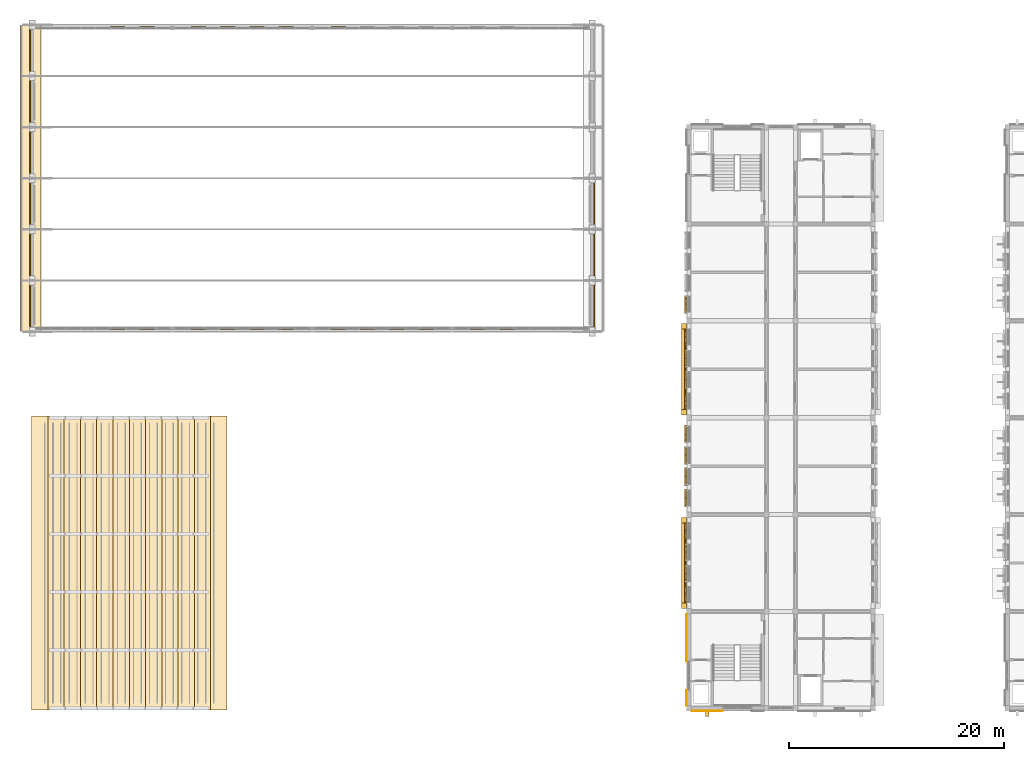
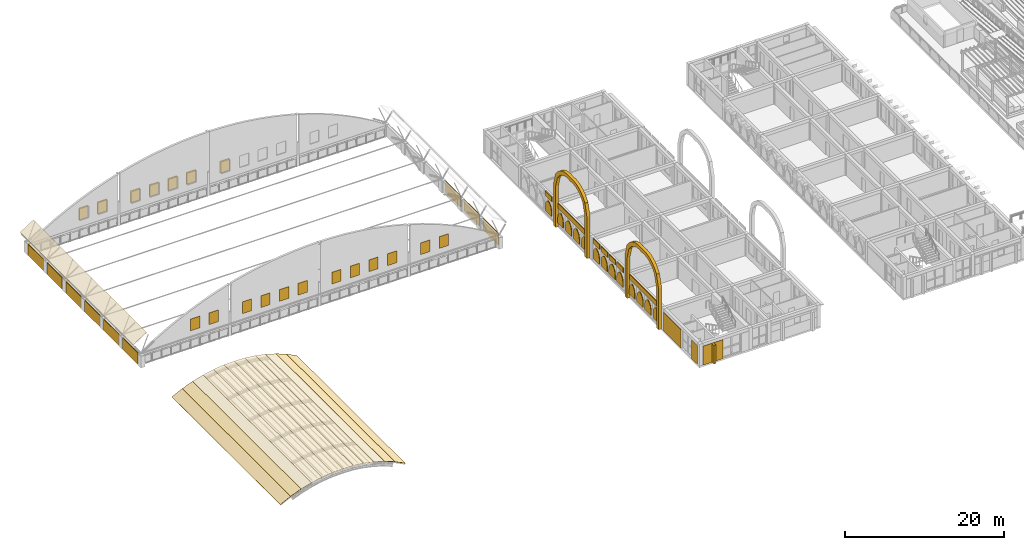
# One storey, part 55 of 65: 35 coverings, 32 shading devices.
"""IFC4 building model written with IfcOpenShell, lengths in metres."""

from ifc_helpers import new_model, si_unit, direction, frame, origin, origin_2d, place, context, subcontext, project, spatial, polyline, rectangle, outline, extrude, material, layer, layer_set, type_object, element, save


model = new_model("IFC4")

# Units and contexts
model_context = context("Model", 3, precision=1e-05, world=origin(), true_north=direction((0.0, 1.0)))
body_context = subcontext(model_context, "Body", "Model", "MODEL_VIEW")
ifc_project = project(units=[si_unit("LENGTHUNIT", "METRE"), si_unit("AREAUNIT", "SQUARE_METRE"), si_unit("VOLUMEUNIT", "CUBIC_METRE"), si_unit("PLANEANGLEUNIT", "RADIAN"), si_unit("MASSUNIT", "GRAM", prefix="KILO")], contexts=[model_context])

# Site, building, storey
site_placement = place(None, origin())
site = spatial("IfcSite", under=ifc_project, at=site_placement, CompositionType="ELEMENT")
building_placement = place(site_placement, origin())
building = spatial("IfcBuilding", under=site, at=building_placement, Name="Elbe Cascade School", CompositionType="ELEMENT")
storey_placement = place(building_placement, frame((0.0, 0.0, 11.699951171875)))
storey = spatial("IfcBuildingStorey", under=building, at=storey_placement, Name="L03", CompositionType="ELEMENT", Elevation=11.699951171875)

# Coverings
ifc_material_1 = material(Name="Zinc standing seam roofing")
ifc_layer_1 = layer(ifc_material_1, 0.030029296875)
ifc_layer_set_1 = layer_set([ifc_layer_1], Name="Zinc standing seam roofing")
covering_type_1 = type_object("IfcCoveringType", Name="Assembly hall roofing 30", PredefinedType="ROOFING", material=ifc_layer_set_1)
covering_1_placement = place(storey_placement, frame((7.9169921875, 5.85009765625, -0.011962890625), z_axis=(-0.443683773164, 0.0, 0.89618341283), x_axis=(0.89618341283, 0.0, 0.443683773164)))
element("IfcCovering", 1, at=covering_1_placement, inside=storey, type_object=covering_type_1, Name="Assembly hall roofing 30 CV2", PredefinedType="ROOFING", context=body_context, shape_type="SweptSolid", body=[
    extrude(outline(polyline([(0.0, 0.0), (1.6892926090258773, 0.0), (1.6892926090258773, 27.2998046875), (0.0, 27.2998046875), (0.0, 0.0)])), origin(), (0.0, 0.0, -1.0), 0.030029296875),
])
covering_2_placement = place(storey_placement, frame((9.430908203125, 5.85009765625, 0.737548828125), z_axis=(-0.363163989255, 0.0, 0.93172523681), x_axis=(0.93172523681, 0.0, 0.363163989255)))
element("IfcCovering", 2, at=covering_2_placement, inside=storey, type_object=covering_type_1, Name="Assembly hall roofing 30 CV2", PredefinedType="ROOFING", context=body_context, shape_type="SweptSolid", body=[
    extrude(outline(polyline([(0.0, 0.0), (1.6248524305388896, 0.0), (1.6248524305388896, 27.2998046875), (0.0, 27.2998046875), (0.0, 0.0)])), origin(), (0.0, 0.0, -1.0), 0.030029296875),
])
covering_3_placement = place(storey_placement, frame((10.94482421875, 5.85009765625, 1.32763671875), z_axis=(-0.282375739988, 0.0, 0.959303883796), x_axis=(0.959303883796, 0.0, 0.282375739988)))
element("IfcCovering", 3, at=covering_3_placement, inside=storey, type_object=covering_type_1, Name="Assembly hall roofing 30 CV2", PredefinedType="ROOFING", context=body_context, shape_type="SweptSolid", body=[
    extrude(outline(polyline([(0.0, 0.0), (1.5778856945834356, 0.0), (1.5778856945834356, 27.2998046875), (0.0, 27.2998046875), (0.0, 0.0)])), origin(), (0.0, 0.0, -1.0), 0.030029296875),
])
covering_4_placement = place(storey_placement, frame((12.45849609375, 5.85009765625, 1.773193359375), z_axis=(-0.201701943853, 0.0, 0.97944694897), x_axis=(0.97944694897, 0.0, 0.201701943853)))
element("IfcCovering", 4, at=covering_4_placement, inside=storey, type_object=covering_type_1, Name="Assembly hall roofing 30 CV2", PredefinedType="ROOFING", context=body_context, shape_type="SweptSolid", body=[
    extrude(outline(polyline([(0.0, 0.0), (1.5456845490383229, 0.0), (1.5456845490383229, 27.299804687500007), (0.0, 27.299804687500007), (0.0, 0.0)])), origin(), (0.0, 0.0, -1.0), 0.030029296875),
])
covering_5_placement = place(storey_placement, frame((13.972412109375, 5.85009765625, 2.0849609375), z_axis=(-0.12085102699, 0.0, 0.992670654989), x_axis=(0.992670654989, 0.0, 0.12085102699)))
element("IfcCovering", 5, at=covering_5_placement, inside=storey, type_object=covering_type_1, Name="Assembly hall roofing 30 CV2", PredefinedType="ROOFING", context=body_context, shape_type="SweptSolid", body=[
    extrude(outline(polyline([(0.0, 0.0), (1.5292749902711031, 0.0), (1.5292749902711031, 27.2998046875), (0.0, 27.2998046875), (0.0, 0.0)])), origin(), (0.0, 0.0, -1.0), 0.030029296875),
])
for number, where, z_axis, x_axis, name in (
    (6, (15.490478515625, 5.85009765625, 2.269775390625), (-0.023444952895, 0.0, 0.999725129315), (0.999725129315, 0.0, 0.023444952895), "Assembly hall roofing 30 CV2"),
    (7, (17.0, 5.85009765625, 2.30517578125), (0.023444952895, 0.0, 0.999725129315), (0.999725129315, 0.0, -0.023444952895), "Assembly hall roofing 30 CV2"),
):
    element("IfcCovering", number, at=place(storey_placement, frame(where, z_axis=z_axis, x_axis=x_axis)), inside=storey, type_object=covering_type_1, Name=name, PredefinedType="ROOFING", context=body_context, shape_type="SweptSolid", body=[
        extrude(outline(polyline([(0.0, 0.0), (1.509936521661128, 0.0), (1.509936521661128, 27.2998046875), (0.0, 27.2998046875), (0.0, 0.0)])), origin(), (0.0, 0.0, -1.0), 0.030029296875),
    ])
covering_6_placement = place(storey_placement, frame((18.509521484375, 5.85009765625, 2.269775390625), z_axis=(0.12085102699, 0.0, 0.992670654989), x_axis=(0.992670654989, 0.0, -0.12085102699)))
element("IfcCovering", 8, at=covering_6_placement, inside=storey, type_object=covering_type_1, Name="Assembly hall roofing 30 CV2", PredefinedType="ROOFING", context=body_context, shape_type="SweptSolid", body=[
    extrude(outline(polyline([(0.0, 0.0), (1.5292749902711031, 0.0), (1.5292749902711031, 27.2998046875), (0.0, 27.2998046875), (0.0, 0.0)])), origin(), (0.0, 0.0, -1.0), 0.030029296875),
])
covering_7_placement = place(storey_placement, frame((20.027587890625, 5.85009765625, 2.0849609375), z_axis=(0.201701943853, 0.0, 0.97944694897), x_axis=(0.97944694897, 0.0, -0.201701943853)))
element("IfcCovering", 9, at=covering_7_placement, inside=storey, type_object=covering_type_1, Name="Assembly hall roofing 30 CV2", PredefinedType="ROOFING", context=body_context, shape_type="SweptSolid", body=[
    extrude(outline(polyline([(0.0, 0.0), (1.5456845490383229, 0.0), (1.5456845490383229, 27.299804687500007), (0.0, 27.299804687500007), (0.0, 0.0)])), origin(), (0.0, 0.0, -1.0), 0.030029296875),
])
covering_8_placement = place(storey_placement, frame((21.54150390625, 5.85009765625, 1.773193359375), z_axis=(0.282375739988, 0.0, 0.959303883796), x_axis=(0.959303883796, 0.0, -0.282375739988)))
element("IfcCovering", 10, at=covering_8_placement, inside=storey, type_object=covering_type_1, Name="Assembly hall roofing 30 CV2", PredefinedType="ROOFING", context=body_context, shape_type="SweptSolid", body=[
    extrude(outline(polyline([(0.0, 0.0), (1.5778856945834356, 0.0), (1.5778856945834356, 27.2998046875), (0.0, 27.2998046875), (0.0, 0.0)])), origin(), (0.0, 0.0, -1.0), 0.030029296875),
])
covering_9_placement = place(storey_placement, frame((23.05517578125, 5.85009765625, 1.32763671875), z_axis=(0.363163989255, 0.0, 0.93172523681), x_axis=(0.93172523681, 0.0, -0.363163989255)))
element("IfcCovering", 11, at=covering_9_placement, inside=storey, type_object=covering_type_1, Name="Assembly hall roofing 30 CV2", PredefinedType="ROOFING", context=body_context, shape_type="SweptSolid", body=[
    extrude(outline(polyline([(0.0, 0.0), (1.6248524305388896, 0.0), (1.6248524305388896, 27.2998046875), (0.0, 27.2998046875), (0.0, 0.0)])), origin(), (0.0, 0.0, -1.0), 0.030029296875),
])
covering_10_placement = place(storey_placement, frame((24.569091796875, 5.85009765625, 0.737548828125), z_axis=(0.443683773164, 0.0, 0.89618341283), x_axis=(0.89618341283, 0.0, -0.443683773164)))
element("IfcCovering", 12, at=covering_10_placement, inside=storey, type_object=covering_type_1, Name="Assembly hall roofing 30 CV2", PredefinedType="ROOFING", context=body_context, shape_type="SweptSolid", body=[
    extrude(outline(polyline([(0.0, 0.0), (1.6892926090258773, 0.0), (1.6892926090258773, 27.2998046875), (0.0, 27.2998046875), (0.0, 0.0)])), origin(), (0.0, 0.0, -1.0), 0.030029296875),
])

# Shading devices
ifc_material_2 = material(Name="Precast concrete C40/50", Category="concrete")
ifc_layer_2 = layer(ifc_material_2, 0.10009765625)
ifc_layer_set_2 = layer_set([ifc_layer_2], Name="Precast concrete C40/50")
shading_device_type_1 = type_object("IfcShadingDeviceType", Name="Bars envelope Jali screen 1400 x 1940, pointed arch rise 1200, pierced precast concrete", PredefinedType="USERDEFINED", material=ifc_layer_set_2)
shading_device_1_placement = place(storey_placement, frame((68.60009765625, 15.830078125, 1.340087890625), z_axis=(-1.0, 0.0, 0.0), x_axis=(0.0, 0.178010233327, 0.984028636184)))
element("IfcShadingDevice", 13, at=shading_device_1_placement, inside=storey, type_object=shading_device_type_1, Name="Jali screen SD5 A.L03.w2.1", ObjectType="JALI", PredefinedType="USERDEFINED", context=body_context, shape_type="SweptSolid", body=[
    extrude(outline(polyline([(0.0, 0.0), (0.4909961754247877, 0.0), (0.6925015045111531, 0.05236873319310516), (0.8428788821146216, 0.11423458756170396), (0.9655850430690349, 0.1808580464704428), (1.0691153542525929, 0.2511985091151042), (1.1586682066636846, 0.32381938311151803), (1.2366894734944909, 0.3985263145297321), (1.3053847865709356, 0.4751684089694145), (1.267849956232629, 0.5707793741352497), (1.2209891721399608, 0.6683255023225533), (1.1625533429373862, 0.767717446565401), (1.0901835144919665, 0.8696300435262571), (0.9986378362756912, 0.9752596442230361), (0.8794209414103609, 1.0856468494599547), (0.7090760950621335, 1.205531175872367), (0.2491969428458631, 1.3775439941116288), (-0.47897463827592734, 1.509269828392377), (-0.7281715811217905, 0.13172583428074836), (0.0, 0.0)])), origin(), (0.0, 0.0, -1.0), 0.10009765625),
])
shading_device_2_placement = place(storey_placement, frame((68.60009765625, 21.77001953125, 1.340087890625), z_axis=(-1.0, 0.0, 0.0), x_axis=(0.0, 0.178010233327, 0.984028636184)))
element("IfcShadingDevice", 14, at=shading_device_2_placement, inside=storey, type_object=shading_device_type_1, Name="Jali screen SD5 A.L03.w2.4", ObjectType="JALI", PredefinedType="USERDEFINED", context=body_context, shape_type="SweptSolid", body=[
    extrude(outline(polyline([(0.0, 0.0), (0.4909961754247877, 0.0), (0.6925449640407739, 0.05260897455936113), (0.8428788821146216, 0.11423458756170396), (0.9656285025986557, 0.18109828783669873), (1.0691153542525929, 0.2511985091151042), (1.1586682066636846, 0.32381938311151803), (1.2367329330241117, 0.3987665558959881), (1.3053847865709356, 0.4751684089694145), (1.26789341576225, 0.5710196155015056), (1.2209891721399608, 0.6683255023225533), (1.1625533429373862, 0.767717446565401), (1.0902269740215873, 0.8698702848925132), (0.9986378362756912, 0.9752596442230361), (0.8794644009399817, 1.0858870908262108), (0.7090760950621335, 1.205531175872367), (0.2491969428458631, 1.3775439941116288), (-0.47897463827592734, 1.509269828392377), (-0.7281715811217905, 0.13172583428074836), (0.0, 0.0)])), origin(), (0.0, 0.0, -1.0), 0.10009765625),
])
shading_device_3_placement = place(storey_placement, frame((68.60009765625, 33.830078125, 1.340087890625), z_axis=(-1.0, 0.0, 0.0), x_axis=(0.0, 0.178010233327, 0.984028636184)))
element("IfcShadingDevice", 15, at=shading_device_3_placement, inside=storey, type_object=shading_device_type_1, Name="Jali screen SD5 A.L03.w4.1", ObjectType="JALI", PredefinedType="USERDEFINED", context=body_context, shape_type="SweptSolid", body=[
    extrude(outline(polyline([(0.0, 0.0), (0.4909961754247877, 0.0), (0.6925015045111531, 0.05236873319310516), (0.8428788821146216, 0.11423458756170396), (0.9655850430690349, 0.1808580464704428), (1.0691153542525929, 0.2511985091151042), (1.1586682066636846, 0.32381938311151803), (1.2366894734944909, 0.3985263145297321), (1.3053847865709356, 0.4751684089694145), (1.267849956232629, 0.5707793741352497), (1.2209891721399608, 0.6683255023225533), (1.1625533429373862, 0.767717446565401), (1.0901835144919665, 0.8696300435262571), (0.9986378362756912, 0.9752596442230361), (0.8794209414103609, 1.0856468494599547), (0.7090760950621335, 1.205531175872367), (0.2491969428458631, 1.3775439941116288), (-0.47897463827592734, 1.509269828392377), (-0.7281715811217905, 0.13172583428074836), (0.0, 0.0)])), origin(), (0.0, 0.0, -1.0), 0.10009765625),
])
shading_device_4_placement = place(storey_placement, frame((68.60009765625, 39.77001953125, 1.340087890625), z_axis=(-1.0, 0.0, 0.0), x_axis=(0.0, 0.178010233327, 0.984028636184)))
element("IfcShadingDevice", 16, at=shading_device_4_placement, inside=storey, type_object=shading_device_type_1, Name="Jali screen SD5 A.L03.w4.4", ObjectType="JALI", PredefinedType="USERDEFINED", context=body_context, shape_type="SweptSolid", body=[
    extrude(outline(polyline([(0.0, 0.0), (0.4909961754247877, 0.0), (0.6925449640407739, 0.05260897455936113), (0.8428788821146216, 0.11423458756170396), (0.9656285025986557, 0.18109828783669873), (1.0691153542525929, 0.2511985091151042), (1.1586682066636846, 0.32381938311151803), (1.2367329330241117, 0.3987665558959881), (1.3053847865709356, 0.4751684089694145), (1.26789341576225, 0.5710196155015056), (1.2209891721399608, 0.6683255023225533), (1.1625533429373862, 0.767717446565401), (1.0902269740215873, 0.8698702848925132), (0.9986378362756912, 0.9752596442230361), (0.8794644009399817, 1.0858870908262108), (0.7090760950621335, 1.205531175872367), (0.2491969428458631, 1.3775439941116288), (-0.47897463827592734, 1.509269828392377), (-0.7281715811217905, 0.13172583428074836), (0.0, 0.0)])), origin(), (0.0, 0.0, -1.0), 0.10009765625),
])
ifc_material_3 = material(Name="Precast concrete C40/50", Category="concrete")
ifc_layer_3 = layer(ifc_material_3, 0.10009765625)
ifc_layer_set_3 = layer_set([ifc_layer_3], Name="Precast concrete C40/50")
shading_device_type_2 = type_object("IfcShadingDeviceType", Name="Bars envelope Jali screen 1600 x 1940, pointed arch rise 1200, pierced precast concrete", PredefinedType="USERDEFINED", material=ifc_layer_set_3)
for number, where, z_axis, x_axis, name in (
    (17, (68.60009765625, 17.7099609375, 1.340087890625), (-1.0, 0.0, 0.0), (0.0, 0.196300278283, 0.98054382908), "Jali screen SD4 A.L03.w2.2"),
    (18, (68.60009765625, 19.68994140625, 1.340087890625), (-1.0, 0.0, 0.0), (0.0, 0.196300278283, 0.98054382908), "Jali screen SD4 A.L03.w2.3"),
):
    element("IfcShadingDevice", number, at=place(storey_placement, frame(where, z_axis=z_axis, x_axis=x_axis)), inside=storey, type_object=shading_device_type_2, Name=name, ObjectType="JALI", PredefinedType="USERDEFINED", context=body_context, shape_type="SweptSolid", body=[
        extrude(outline(polyline([(0.0, 0.0), (0.509921112317134, 0.0), (0.7186409460062186, 0.06005009918221829), (0.8733064327485943, 0.13117061016154), (0.9982874871653163, 0.20823380534668107), (1.102872417131342, 0.2891312241218946), (1.1919448840573539, 0.37338315020117196), (1.268281725197354, 0.45993570394643946), (1.3336545243794973, 0.5489321924158467), (1.3075801207519657, 0.6562359822289878), (1.270445825421322, 0.7655049255997259), (1.220671754049922, 0.877553277802997), (1.155289369893253, 0.9924773561437888), (1.0696067110311427, 1.1117144392411962), (0.9542396198433787, 1.2368942065444228), (0.7847223319636507, 1.37266560447821), (0.31409961520112845, 1.5689658827607584), (-0.41149324269448634, 1.7142261716949392), (-0.7255928578956148, 0.1452602889341807), (0.0, 0.0)])), origin(), (0.0, 0.0, -1.0), 0.10009765625),
    ])
shading_device_5_placement = place(storey_placement, frame((68.60009765625, 24.72998046875, 1.340087890625), z_axis=(-1.0, 0.0, 0.0), x_axis=(0.0, 0.196300278283, 0.98054382908)))
element("IfcShadingDevice", 19, at=shading_device_5_placement, inside=storey, type_object=shading_device_type_2, Name="Jali screen SD4 A.L03.w3.1", ObjectType="JALI", PredefinedType="USERDEFINED", context=body_context, shape_type="SweptSolid", body=[
    extrude(outline(polyline([(0.0, 0.0), (0.509921112317134, 0.0), (0.7186409460062186, 0.06005009918221829), (0.8733064327485943, 0.13117061016154), (0.9982395622926888, 0.20799441476340969), (1.102872417131342, 0.2891312241218946), (1.1919448840573539, 0.37338315020117196), (1.268281725197354, 0.45993570394643946), (1.3336545243794973, 0.5489321924158467), (1.3075321958793382, 0.6559965916457164), (1.270445825421322, 0.7655049255997259), (1.220671754049922, 0.877553277802997), (1.155289369893253, 0.9924773561437888), (1.0696067110311427, 1.1117144392411962), (0.9541916949707512, 1.2366548159611515), (0.7847223319636507, 1.37266560447821), (0.31409961520112845, 1.5689658827607584), (-0.41149324269448634, 1.7142261716949392), (-0.7255928578956148, 0.1452602889341807), (0.0, 0.0)])), origin(), (0.0, 0.0, -1.0), 0.10009765625),
])
for number, where, z_axis, x_axis, name in (
    (20, (68.60009765625, 26.7099609375, 1.340087890625), (-1.0, 0.0, 0.0), (0.0, 0.196300278283, 0.98054382908), "Jali screen SD4 A.L03.w3.2"),
    (21, (68.60009765625, 28.68994140625, 1.340087890625), (-1.0, 0.0, 0.0), (0.0, 0.196300278283, 0.98054382908), "Jali screen SD4 A.L03.w3.3"),
):
    element("IfcShadingDevice", number, at=place(storey_placement, frame(where, z_axis=z_axis, x_axis=x_axis)), inside=storey, type_object=shading_device_type_2, Name=name, ObjectType="JALI", PredefinedType="USERDEFINED", context=body_context, shape_type="SweptSolid", body=[
        extrude(outline(polyline([(0.0, 0.0), (0.509921112317134, 0.0), (0.7186409460062186, 0.06005009918221829), (0.8733064327485943, 0.13117061016154), (0.9982874871653163, 0.20823380534668107), (1.102872417131342, 0.2891312241218946), (1.1919448840573539, 0.37338315020117196), (1.268281725197354, 0.45993570394643946), (1.3336545243794973, 0.5489321924158467), (1.3075801207519657, 0.6562359822289878), (1.270445825421322, 0.7655049255997259), (1.220671754049922, 0.877553277802997), (1.155289369893253, 0.9924773561437888), (1.0696067110311427, 1.1117144392411962), (0.9542396198433787, 1.2368942065444228), (0.7847223319636507, 1.37266560447821), (0.31409961520112845, 1.5689658827607584), (-0.41149324269448634, 1.7142261716949392), (-0.7255928578956148, 0.1452602889341807), (0.0, 0.0)])), origin(), (0.0, 0.0, -1.0), 0.10009765625),
    ])
shading_device_6_placement = place(storey_placement, frame((68.60009765625, 30.669921875, 1.340087890625), z_axis=(-1.0, 0.0, 0.0), x_axis=(0.0, 0.196300278283, 0.98054382908)))
element("IfcShadingDevice", 22, at=shading_device_6_placement, inside=storey, type_object=shading_device_type_2, Name="Jali screen SD4 A.L03.w3.4", ObjectType="JALI", PredefinedType="USERDEFINED", context=body_context, shape_type="SweptSolid", body=[
    extrude(outline(polyline([(0.0, 0.0), (0.509921112317134, 0.0), (0.7186888708788461, 0.0602894897654897), (0.8733064327485943, 0.13117061016154), (0.9982874871653163, 0.20823380534668107), (1.102872417131342, 0.2891312241218946), (1.1919448840573539, 0.37338315020117196), (1.2683296500699814, 0.46017509452971084), (1.3336545243794973, 0.5489321924158467), (1.3075801207519657, 0.6562359822289878), (1.270445825421322, 0.7655049255997259), (1.220671754049922, 0.877553277802997), (1.1553372947658807, 0.9927167467270602), (1.0696067110311427, 1.1117144392411962), (0.9542396198433787, 1.2368942065444228), (0.7847223319636507, 1.37266560447821), (0.31409961520112845, 1.5689658827607584), (-0.41149324269448634, 1.7142261716949392), (-0.7255928578956148, 0.1452602889341807), (0.0, 0.0)])), origin(), (0.0, 0.0, -1.0), 0.10009765625),
])
for number, where, z_axis, x_axis, name in (
    (23, (68.60009765625, 35.7099609375, 1.340087890625), (-1.0, 0.0, 0.0), (0.0, 0.196300278283, 0.98054382908), "Jali screen SD4 A.L03.w4.2"),
    (24, (68.60009765625, 37.68994140625, 1.340087890625), (-1.0, 0.0, 0.0), (0.0, 0.196300278283, 0.98054382908), "Jali screen SD4 A.L03.w4.3"),
):
    element("IfcShadingDevice", number, at=place(storey_placement, frame(where, z_axis=z_axis, x_axis=x_axis)), inside=storey, type_object=shading_device_type_2, Name=name, ObjectType="JALI", PredefinedType="USERDEFINED", context=body_context, shape_type="SweptSolid", body=[
        extrude(outline(polyline([(0.0, 0.0), (0.509921112317134, 0.0), (0.7186409460062186, 0.06005009918221829), (0.8733064327485943, 0.13117061016154), (0.9982874871653163, 0.20823380534668107), (1.102872417131342, 0.2891312241218946), (1.1919448840573539, 0.37338315020117196), (1.268281725197354, 0.45993570394643946), (1.3336545243794973, 0.5489321924158467), (1.3075801207519657, 0.6562359822289878), (1.270445825421322, 0.7655049255997259), (1.220671754049922, 0.877553277802997), (1.155289369893253, 0.9924773561437888), (1.0696067110311427, 1.1117144392411962), (0.9542396198433787, 1.2368942065444228), (0.7847223319636507, 1.37266560447821), (0.31409961520112845, 1.5689658827607584), (-0.41149324269448634, 1.7142261716949392), (-0.7255928578956148, 0.1452602889341807), (0.0, 0.0)])), origin(), (0.0, 0.0, -1.0), 0.10009765625),
    ])
shading_device_7_placement = place(storey_placement, frame((68.60009765625, 42.72998046875, 1.340087890625), z_axis=(-1.0, 0.0, 0.0), x_axis=(0.0, 0.196300278283, 0.98054382908)))
element("IfcShadingDevice", 25, at=shading_device_7_placement, inside=storey, type_object=shading_device_type_2, Name="Jali screen SD4 A.L03.w5.1", ObjectType="JALI", PredefinedType="USERDEFINED", context=body_context, shape_type="SweptSolid", body=[
    extrude(outline(polyline([(0.0, 0.0), (0.509921112317134, 0.0), (0.7186409460062186, 0.06005009918221829), (0.8733064327485943, 0.13117061016154), (0.9982395622926888, 0.20799441476340969), (1.102872417131342, 0.2891312241218946), (1.1919448840573539, 0.37338315020117196), (1.268281725197354, 0.45993570394643946), (1.3336545243794973, 0.5489321924158467), (1.3075321958793382, 0.6559965916457164), (1.270445825421322, 0.7655049255997259), (1.220671754049922, 0.877553277802997), (1.155289369893253, 0.9924773561437888), (1.0696067110311427, 1.1117144392411962), (0.9541916949707512, 1.2366548159611515), (0.7847223319636507, 1.37266560447821), (0.31409961520112845, 1.5689658827607584), (-0.41149324269448634, 1.7142261716949392), (-0.7255928578956148, 0.1452602889341807), (0.0, 0.0)])), origin(), (0.0, 0.0, -1.0), 0.10009765625),
])

# Coverings
ifc_material_4 = material(Name="Precast concrete C40/50", Category="concrete")
covering_type_2 = type_object("IfcCoveringType", Name="Bars envelope Precast concrete gable fin, 300 wide, 500 deep", PredefinedType="CLADDING", material=ifc_material_4)
covering_11_placement = place(storey_placement, frame((70.699951171875, 5.489990234375, 0.0), z_axis=(0.0, 0.0, 1.0), x_axis=(1.0, 0.0, 0.0)))
element("IfcCovering", 26, at=covering_11_placement, inside=storey, type_object=covering_type_2, Name="Fin CV50 A.L03.s.1", PredefinedType="CLADDING", context=body_context, shape_type="SweptSolid", body=[
    extrude(rectangle(XDim=0.300048828125, YDim=0.5, at=origin_2d()), origin(), (0.0, 0.0, 1.0), 2.89990234375),
])
ifc_material_5 = material(Name="Sandstone - red", Category="masonry")
covering_type_3 = type_object("IfcCoveringType", Name="Bars envelope Sandstone arch frame single, 8500 wide, 450 deep", PredefinedType="CLADDING", material=ifc_material_5)
for number, where, z_axis, x_axis, name in (
    (27, (68.300048828125, 15.25, 0.0), (-1.0, 0.0, 0.0), (0.0, 0.0, 1.0), "Arch frame CV52 A.L03.w2"),
    (28, (68.300048828125, 33.25, 0.0), (-1.0, 0.0, 0.0), (0.0, 0.0, 1.0), "Arch frame CV52 A.L03.w4"),
):
    element("IfcCovering", number, at=place(storey_placement, frame(where, z_axis=z_axis, x_axis=x_axis)), inside=storey, type_object=covering_type_3, Name=name, PredefinedType="CLADDING", context=body_context, shape_type="SweptSolid", body=[
        extrude(outline(polyline([(0.0, 0.0), (6.300048828125, 0.0), (8.1962890625, 0.53125), (8.874267578125, 1.0625), (9.3154296875, 1.59375), (9.615966796875, 2.125), (9.81201171875, 2.65625), (9.92041015625, 3.1875), (9.94921875, 3.71875), (9.900146484375, 4.25), (9.94921875, 4.78125), (9.92041015625, 5.3125), (9.81201171875, 5.84375), (9.615966796875, 6.375), (9.3154296875, 6.90625), (8.874267578125, 7.4375), (8.1962890625, 7.96875), (6.300048828125, 8.5), (0.0, 8.5), (0.0, 7.919921875), (6.300048828125, 7.919921875), (7.91650390625, 7.461181640625), (8.4921875, 7.00244140625), (8.86474609375, 6.543701171875), (9.11572265625, 6.0849609375), (9.276123046875, 5.626220703125), (9.3603515625, 5.16748046875), (9.374755859375, 4.708740234375), (9.320068359375, 4.25), (9.374755859375, 3.791259765625), (9.3603515625, 3.33251953125), (9.276123046875, 2.873779296875), (9.11572265625, 2.4150390625), (8.86474609375, 1.956298828125), (8.4921875, 1.49755859375), (7.91650390625, 1.038818359375), (6.300048828125, 0.580078125), (0.0, 0.580078125), (0.0, 0.0)])), origin(), (0.0, 0.0, -1.0), 0.449951171875),
    ])
ifc_material_6 = material(Name="Sandstone - red", Category="masonry")
ifc_layer_4 = layer(ifc_material_6, 0.0400390625)
ifc_layer_set_4 = layer_set([ifc_layer_4], Name="Sandstone - red")
covering_type_4 = type_object("IfcCoveringType", Name="Bars envelope Sandstone cladding, red, 40 mm", PredefinedType="CLADDING", material=ifc_layer_set_4)
covering_12_placement = place(storey_placement, frame((68.760009765625, 6.969970703125, 0.0), z_axis=(0.0, 0.0, 1.0), x_axis=(0.0, 1.0, 0.0)))
element("IfcCovering", 29, at=covering_12_placement, inside=storey, type_object=covering_type_4, Name="Sandstone cladding CV48 A.L03.w.1a.1", PredefinedType="CLADDING", context=body_context, shape_type="SweptSolid", body=[
    extrude(rectangle(XDim=1.43994140625, YDim=0.0400390625, at=origin_2d()), origin(), (0.0, 0.0, 1.0), 2.85009765625),
])
covering_13_placement = place(storey_placement, frame((68.760009765625, 12.570068359375, 0.0), z_axis=(0.0, 0.0, 1.0), x_axis=(0.0, 1.0, 0.0)))
element("IfcCovering", 30, at=covering_13_placement, inside=storey, type_object=covering_type_4, Name="Sandstone cladding CV48 A.L03.w.1b.1", PredefinedType="CLADDING", context=body_context, shape_type="SweptSolid", body=[
    extrude(rectangle(XDim=4.360107421875, YDim=0.0400390625, at=origin_2d()), origin(), (0.0, 0.0, 1.0), 2.85009765625),
])
covering_14_placement = place(storey_placement, frame((70.699951171875, 5.760009765625, 0.0), z_axis=(0.0, 0.0, 1.0), x_axis=(1.0, 0.0, 0.0)))
element("IfcCovering", 31, at=covering_14_placement, inside=storey, type_object=covering_type_4, Name="Sandstone cladding CV48 A.L03.s.1a.1", PredefinedType="CLADDING", context=body_context, shape_type="SweptSolid", body=[
    extrude(rectangle(XDim=2.89990234375, YDim=0.0400390625, at=origin_2d()), origin(), (0.0, 0.0, 1.0), 2.89990234375),
])
ifc_material_7 = material(Name="Sandstone - red", Category="masonry")
covering_type_5 = type_object("IfcCoveringType", Name="Bars envelope Sandstone spandrel band, 120 deep", PredefinedType="CLADDING", material=ifc_material_7)
covering_15_placement = place(storey_placement, frame((68.68994140625, 19.5, 2.85009765625), z_axis=(0.0, 0.0, 1.0), x_axis=(0.0, 1.0, 0.0)))
element("IfcCovering", 32, at=covering_15_placement, inside=storey, type_object=covering_type_5, Name="Spandrel band CV53 A.L03.w1.1", PredefinedType="CLADDING", context=body_context, shape_type="SweptSolid", body=[
    extrude(rectangle(XDim=7.340087890625, YDim=0.1201171875, at=origin_2d()), origin(), (0.0, 0.0, 1.0), 0.75),
])
for number, where, z_axis, x_axis, name in (
    (33, (68.68994140625, 25.530029296875, 2.85009765625), (0.0, 0.0, 1.0), (0.0, 1.0, 0.0), "Spandrel band CV53 A.L03.w2.1"),
    (34, (68.68994140625, 27.510009765625, 2.85009765625), (0.0, 0.0, 1.0), (0.0, 1.0, 0.0), "Spandrel band CV53 A.L03.w2.2"),
    (35, (68.68994140625, 29.489990234375, 2.85009765625), (0.0, 0.0, 1.0), (0.0, 1.0, 0.0), "Spandrel band CV53 A.L03.w2.3"),
    (36, (68.68994140625, 31.469970703125, 2.85009765625), (0.0, 0.0, 1.0), (0.0, 1.0, 0.0), "Spandrel band CV53 A.L03.w2.4"),
):
    element("IfcCovering", number, at=place(storey_placement, frame(where, z_axis=z_axis, x_axis=x_axis)), inside=storey, type_object=covering_type_5, Name=name, PredefinedType="CLADDING", context=body_context, shape_type="SweptSolid", body=[
        extrude(rectangle(XDim=1.639892578125, YDim=0.1201171875, at=origin_2d()), origin(), (0.0, 0.0, 1.0), 0.75),
    ])
covering_16_placement = place(storey_placement, frame((68.68994140625, 37.5, 2.85009765625), z_axis=(0.0, 0.0, 1.0), x_axis=(0.0, 1.0, 0.0)))
element("IfcCovering", 37, at=covering_16_placement, inside=storey, type_object=covering_type_5, Name="Spandrel band CV53 A.L03.w3.1", PredefinedType="CLADDING", context=body_context, shape_type="SweptSolid", body=[
    extrude(rectangle(XDim=7.340087890625, YDim=0.1201171875, at=origin_2d()), origin(), (0.0, 0.0, 1.0), 0.75),
])
covering_17_placement = place(storey_placement, frame((68.68994140625, 43.530029296875, 2.85009765625), z_axis=(0.0, 0.0, 1.0), x_axis=(0.0, 1.0, 0.0)))
element("IfcCovering", 38, at=covering_17_placement, inside=storey, type_object=covering_type_5, Name="Spandrel band CV53 A.L03.w4.1", PredefinedType="CLADDING", context=body_context, shape_type="SweptSolid", body=[
    extrude(rectangle(XDim=1.639892578125, YDim=0.1201171875, at=origin_2d()), origin(), (0.0, 0.0, 1.0), 0.75),
])
ifc_material_8 = material(Name="Brick masonry - red clinker", Category="masonry")
ifc_layer_5 = layer(ifc_material_8, 0.10009765625)
ifc_layer_set_5 = layer_set([ifc_layer_5], Name="Brick masonry - red clinker")
covering_type_6 = type_object("IfcCoveringType", Name="Hall brick cladding top course 1750", PredefinedType="CLADDING", material=ifc_layer_set_5)
for number, where, z_axis, x_axis, name in (
    (39, (7.800048828125, 43.375, 0.0), (0.0, 0.0, 1.0), (1.0, 0.0, 0.0), "Brick cladding W1"),
    (40, (7.800048828125, 48.125, 0.0), (0.0, 0.0, 1.0), (1.0, 0.0, 0.0), "Brick cladding W2"),
    (41, (7.800048828125, 52.875, 0.0), (0.0, 0.0, 1.0), (1.0, 0.0, 0.0), "Brick cladding W3"),
    (42, (7.800048828125, 57.625, 0.0), (0.0, 0.0, 1.0), (1.0, 0.0, 0.0), "Brick cladding W4"),
    (43, (7.800048828125, 62.375, 0.0), (0.0, 0.0, 1.0), (1.0, 0.0, 0.0), "Brick cladding W5"),
    (44, (7.800048828125, 67.125, 0.0), (0.0, 0.0, 1.0), (1.0, 0.0, 0.0), "Brick cladding W6"),
    (45, (60.199951171875, 43.375, 0.0), (0.0, 0.0, 1.0), (1.0, 0.0, 0.0), "Brick cladding E1"),
    (46, (60.199951171875, 48.125, 0.0), (0.0, 0.0, 1.0), (1.0, 0.0, 0.0), "Brick cladding E2"),
    (47, (60.199951171875, 52.875, 0.0), (0.0, 0.0, 1.0), (1.0, 0.0, 0.0), "Brick cladding E3"),
):
    element("IfcCovering", number, at=place(storey_placement, frame(where, z_axis=z_axis, x_axis=x_axis)), inside=storey, type_object=covering_type_6, Name=name, PredefinedType="CLADDING", context=body_context, shape_type="SweptSolid", body=[
        extrude(rectangle(XDim=0.10009765625, YDim=3.85009765625, at=origin_2d()), origin(), (0.0, 0.0, 1.0), 1.75),
    ])

# Shading devices
ifc_material_9 = material(Name="Precast concrete - pierced screen C30/37", Category="concrete")
shading_device_type_3 = type_object("IfcShadingDeviceType", Name="Hall jali screen 1350x1800 gable window", PredefinedType="USERDEFINED", material=ifc_material_9)
for number, where, z_axis, x_axis, name in (
    (48, (15.925048828125, 41.2099609375, 2.7001953125), (0.0, 0.0, 1.0), (1.0, 0.0, 0.0), "Gable jali S1.1"),
    (49, (18.625, 41.2099609375, 2.7001953125), (0.0, 0.0, 1.0), (1.0, 0.0, 0.0), "Gable jali S1.2"),
    (50, (23.449951171875, 41.2099609375, 2.7001953125), (0.0, 0.0, 1.0), (1.0, 0.0, 0.0), "Gable jali S2.1"),
    (51, (26.14990234375, 41.2099609375, 2.7001953125), (0.0, 0.0, 1.0), (1.0, 0.0, 0.0), "Gable jali S2.2"),
    (52, (28.85009765625, 41.2099609375, 2.7001953125), (0.0, 0.0, 1.0), (1.0, 0.0, 0.0), "Gable jali S2.3"),
    (53, (31.550048828125, 41.2099609375, 2.7001953125), (0.0, 0.0, 1.0), (1.0, 0.0, 0.0), "Gable jali S2.4"),
    (54, (36.449951171875, 41.2099609375, 2.7001953125), (0.0, 0.0, 1.0), (1.0, 0.0, 0.0), "Gable jali S3.1"),
    (55, (39.14990234375, 41.2099609375, 2.7001953125), (0.0, 0.0, 1.0), (1.0, 0.0, 0.0), "Gable jali S3.2"),
    (56, (41.85009765625, 41.2099609375, 2.7001953125), (0.0, 0.0, 1.0), (1.0, 0.0, 0.0), "Gable jali S3.3"),
    (57, (44.550048828125, 41.2099609375, 2.7001953125), (0.0, 0.0, 1.0), (1.0, 0.0, 0.0), "Gable jali S3.4"),
    (58, (49.375, 41.2099609375, 2.7001953125), (0.0, 0.0, 1.0), (1.0, 0.0, 0.0), "Gable jali S4.1"),
    (59, (52.074951171875, 41.2099609375, 2.7001953125), (0.0, 0.0, 1.0), (1.0, 0.0, 0.0), "Gable jali S4.2"),
    (60, (15.925048828125, 69.2900390625, 2.7001953125), (0.0, 0.0, 1.0), (1.0, 0.0, 0.0), "Gable jali N1.1"),
    (61, (18.625, 69.2900390625, 2.7001953125), (0.0, 0.0, 1.0), (1.0, 0.0, 0.0), "Gable jali N1.2"),
    (62, (23.449951171875, 69.2900390625, 2.7001953125), (0.0, 0.0, 1.0), (1.0, 0.0, 0.0), "Gable jali N2.1"),
    (63, (26.14990234375, 69.2900390625, 2.7001953125), (0.0, 0.0, 1.0), (1.0, 0.0, 0.0), "Gable jali N2.2"),
    (64, (28.85009765625, 69.2900390625, 2.7001953125), (0.0, 0.0, 1.0), (1.0, 0.0, 0.0), "Gable jali N2.3"),
    (65, (31.550048828125, 69.2900390625, 2.7001953125), (0.0, 0.0, 1.0), (1.0, 0.0, 0.0), "Gable jali N2.4"),
    (66, (36.449951171875, 69.2900390625, 2.7001953125), (0.0, 0.0, 1.0), (1.0, 0.0, 0.0), "Gable jali N3.1"),
):
    element("IfcShadingDevice", number, at=place(storey_placement, frame(where, z_axis=z_axis, x_axis=x_axis)), inside=storey, type_object=shading_device_type_3, Name=name, ObjectType="JALI", PredefinedType="USERDEFINED", context=body_context, shape_type="SweptSolid", body=[
        extrude(rectangle(XDim=1.35009765625, YDim=0.1201171875, at=origin_2d()), origin(), (0.0, 0.0, 1.0), 1.800048828125),
    ])

# Covering
ifc_material_10 = material(Name="Standing seam roofing - zinc")
ifc_layer_6 = layer(ifc_material_10, 0.030029296875)
ifc_layer_set_6 = layer_set([ifc_layer_6], Name="Standing seam roofing - zinc")
covering_type_7 = type_object("IfcCoveringType", Name="Hall roofing", PredefinedType="ROOFING", material=ifc_layer_set_6)
covering_18_placement = place(storey_placement, frame((6.846923828125, 41.0, 3.594970703125), z_axis=(-0.542225940542, 0.0, 0.840232723359), x_axis=(0.840232723359, 0.0, 0.542225940542)))
element("IfcCovering", 67, at=covering_18_placement, inside=storey, type_object=covering_type_7, Name="Roofing 1", PredefinedType="ROOFING", context=body_context, shape_type="SweptSolid", body=[
    extrude(outline(polyline([(0.0, 0.0), (2.3012597536898762, 0.0), (2.3012597536898762, 28.5), (0.0, 28.5), (0.0, 0.0)])), origin(), (0.0, 0.0, -1.0), 0.030029296875),
])

save(model, "model.ifc")
